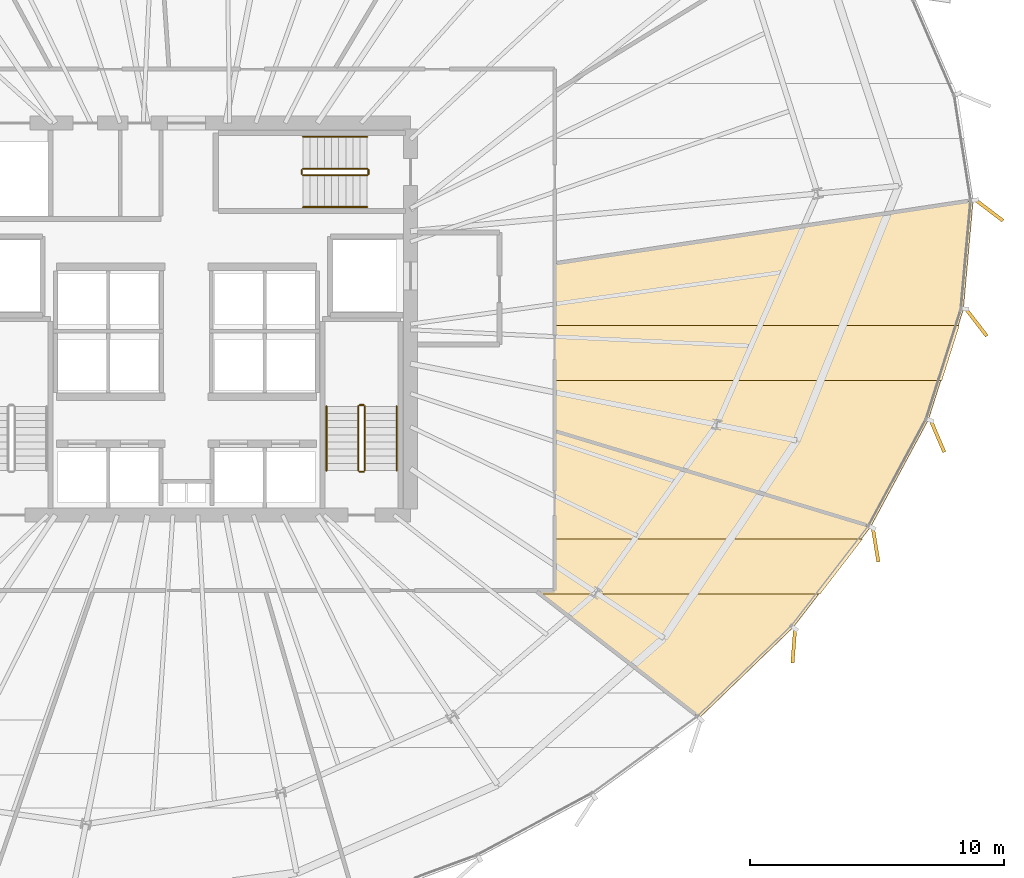
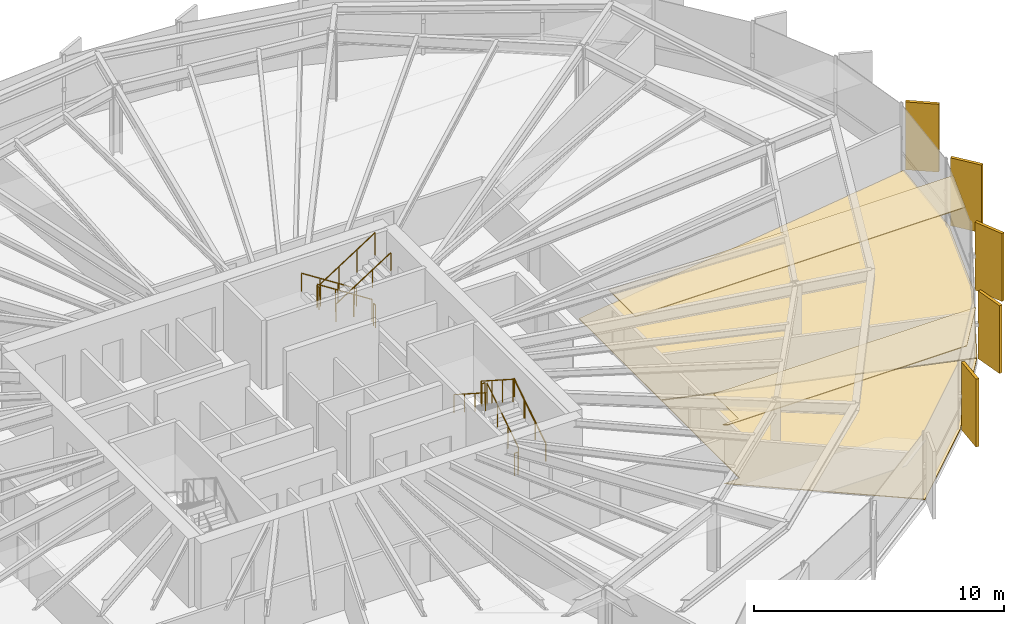
# One storey, part 34 of 35: 12 railings, 9 coverings.
"""IFC4 building model written with IfcOpenShell, lengths in metres."""

from ifc_helpers import new_model, si_unit, direction, frame, origin, origin_2d, place, context, subcontext, project, spatial, polyline, rectangle, circle, outline, extrude, source, transform, mapped, material, layer, layer_set, type_object, element, save


model = new_model("IFC4")

# Units and contexts
model_context = context("Model", 3, precision=1e-05, world=origin(), true_north=direction((0.0, 1.0)))
body_context = subcontext(model_context, "Body", "Model", "MODEL_VIEW")
ifc_project = project(units=[si_unit("LENGTHUNIT", "METRE"), si_unit("AREAUNIT", "SQUARE_METRE"), si_unit("VOLUMEUNIT", "CUBIC_METRE"), si_unit("PLANEANGLEUNIT", "RADIAN"), si_unit("MASSUNIT", "GRAM", prefix="KILO"), si_unit("THERMODYNAMICTEMPERATUREUNIT", "KELVIN")], contexts=[model_context])

# Site, building, storey
site_placement = place(None, origin())
site = spatial("IfcSite", under=ifc_project, at=site_placement, CompositionType="ELEMENT")
building_placement = place(site_placement, origin())
building = spatial("IfcBuilding", under=site, at=building_placement, Name="Kethvar Cultural Tower", CompositionType="ELEMENT")
storey_placement = place(building_placement, frame((0.0, 0.0, 100.0)))
storey = spatial("IfcBuildingStorey", under=building, at=storey_placement, Name="L24", CompositionType="ELEMENT", Elevation=100.0)

# Coverings
ifc_material_1 = material(Name="Acoustic Mineral Fibre Ceiling")
ifc_layer_1 = layer(ifc_material_1, 0.0400390625, Name="Acoustic Mineral Fibre Ceiling")
ifc_layer_set_1 = layer_set([ifc_layer_1], Name="Acoustic Mineral Fibre Ceiling (40 mm)")
covering_type_1 = type_object("IfcCoveringType", Name="CV-ACOUSTIC-CEIL", PredefinedType="CEILING", material=ifc_layer_set_1)
covering_1_placement = place(storey_placement, frame((0.0, 0.0, 2.889892578125)))
element("IfcCovering", 1, at=covering_1_placement, inside=storey, type_object=covering_type_1, Name="L24 Room 04 Acoustic Ceiling Panel", PredefinedType="CEILING", context=body_context, shape_type="SweptSolid", body=[
    extrude(outline(polyline([(60.498046875, 17.124267578125), (61.25, 17.159912109375), (61.25, 19.149658203125), (73.356201171875, 19.149658203125), (71.697998046875, 16.99951171875), (60.658203125, 16.99951171875), (60.498046875, 17.124267578125)])), origin(), (0.0, 0.0, 1.0), 0.0400390625),
])
covering_2_placement = place(storey_placement, frame((0.0, 0.0, 2.889892578125)))
element("IfcCovering", 2, at=covering_2_placement, inside=storey, type_object=covering_type_1, Name="L24 Room 05 Acoustic Ceiling Panel", PredefinedType="CEILING", context=body_context, shape_type="SweptSolid", body=[
    extrude(outline(polyline([(76.48291015625, 25.388427734375), (61.25, 25.388427734375), (61.25, 27.538330078125), (77.164794921875, 27.538330078125), (76.48291015625, 25.388427734375)])), origin(), (0.0, 0.0, 1.0), 0.0400390625),
])
ifc_material_2 = material(Name="Honed Warm Limestone", Category="masonry")
ifc_layer_2 = layer(ifc_material_2, 0.030029296875, Name="Honed Warm Limestone", Category="masonry")
ifc_layer_set_2 = layer_set([ifc_layer_2], Name="Honed Warm Limestone (30 mm)")
covering_type_2 = type_object("IfcCoveringType", Name="CV-STONE-FLOOR", PredefinedType="FLOORING", material=ifc_layer_set_2)
covering_3_placement = place(storey_placement, origin())
element("IfcCovering", 3, at=covering_3_placement, inside=storey, type_object=covering_type_2, Name="L24 Room 04 Floor Finish", PredefinedType="FLOORING", context=body_context, shape_type="SweptSolid", body=[
    extrude(outline(polyline([(70.637451171875, 15.68994140625), (66.966064453125, 12.145751953125), (60.568603515625, 17.1201171875), (61.289794921875, 17.137939453125), (61.2900390625, 23.376953125), (73.666259765625, 19.616943359375), (70.637451171875, 15.68994140625)])), origin(), (0.0, 0.0, 1.0), 0.030029296875),
])
covering_4_placement = place(storey_placement, origin())
element("IfcCovering", 4, at=covering_4_placement, inside=storey, type_object=covering_type_2, Name="L24 Room 05 Floor Finish", PredefinedType="FLOORING", context=body_context, shape_type="SweptSolid", body=[
    extrude(outline(polyline([(77.323486328125, 28.1708984375), (75.951904296875, 23.8466796875), (73.68994140625, 19.651611328125), (61.2900390625, 23.418701171875), (61.2900390625, 29.966064453125), (77.70654296875, 32.443115234375), (77.323486328125, 28.1708984375)])), origin(), (0.0, 0.0, 1.0), 0.030029296875),
])

# Railings
ifc_material_3 = material(Name="Steel S355J2", Category="steel")
railing_type_1 = type_object("IfcRailingType", Name="RL-STAIR-GUARD", PredefinedType="BALUSTRADE", material=ifc_material_3)
railing_1_placement = place(storey_placement, frame((53.81005859375, 21.85009765625, 0.179931640625)))
element("IfcRailing", 5, at=railing_1_placement, inside=storey, type_object=railing_type_1, Name="L24 ST-02 stair guard 1", PredefinedType="BALUSTRADE", context=body_context, shape_type="SweptSolid", body=[
    extrude(circle(Radius=0.02392578125, at=origin_2d()), frame((0.0, 0.0, 1.09619140625), z_axis=(0.0, 0.841162588446, 0.540782303519), x_axis=(-1.0, 0.0, 0.0)), (0.0, 0.0, 1.0), 2.995849609375),
    extrude(circle(Radius=0.02099609375, at=origin_2d()), origin(), (0.0, 0.0, 1.0), 1.072021484375),
    extrude(circle(Radius=0.02099609375, at=origin_2d()), frame((0.0, 0.840087890625, 0.5400390625)), (0.0, 0.0, 1.0), 1.072021484375),
    extrude(circle(Radius=0.02099609375, at=origin_2d()), frame((0.0, 1.679931640625, 1.080078125)), (0.0, 0.0, 1.0), 1.072021484375),
    extrude(circle(Radius=0.02099609375, at=origin_2d()), frame((0.0, 2.52001953125, 1.6201171875)), (0.0, 0.0, 1.0), 1.072021484375),
])
railing_2_placement = place(storey_placement, frame((53.760009765625, 24.419921875, 1.800048828125)))
element("IfcRailing", 6, at=railing_2_placement, inside=storey, type_object=railing_type_1, Name="L24 ST-02 stair guard 2", PredefinedType="BALUSTRADE", context=body_context, shape_type="SweptSolid", body=[
    extrude(circle(Radius=0.02392578125, at=origin_2d()), frame((0.0, 0.0, 1.09619140625), z_axis=(-1.0, 0.0, 0.0), x_axis=(0.0, -1.0, 0.0)), (0.0, 0.0, 1.0), 0.159912109375),
    extrude(circle(Radius=0.02099609375, at=origin_2d()), origin(), (0.0, 0.0, 1.0), 1.072021484375),
    extrude(circle(Radius=0.02099609375, at=origin_2d()), frame((-0.159912109375, 0.0, 0.0)), (0.0, 0.0, 1.0), 1.072021484375),
])
railing_3_placement = place(storey_placement, frame((53.550048828125, 24.3701171875, 1.97998046875)))
element("IfcRailing", 7, at=railing_3_placement, inside=storey, type_object=railing_type_1, Name="L24 ST-02 stair guard 3", PredefinedType="BALUSTRADE", context=body_context, shape_type="SweptSolid", body=[
    extrude(circle(Radius=0.02392578125, at=origin_2d()), frame((0.0, 0.0, 1.09619140625), z_axis=(0.0, -0.841162588446, 0.540782303519), x_axis=(1.0, 0.0, 0.0)), (0.0, 0.0, 1.0), 2.995849609375),
    extrude(circle(Radius=0.02099609375, at=origin_2d()), origin(), (0.0, 0.0, 1.0), 1.072021484375),
    extrude(circle(Radius=0.02099609375, at=origin_2d()), frame((0.0, -0.840087890625, 0.5400390625)), (0.0, 0.0, 1.0), 1.072021484375),
    extrude(circle(Radius=0.02099609375, at=origin_2d()), frame((0.0, -1.679931640625, 1.080078125)), (0.0, 0.0, 1.0), 1.072021484375),
    extrude(circle(Radius=0.02099609375, at=origin_2d()), frame((0.0, -2.52001953125, 1.6201171875)), (0.0, 0.0, 1.0), 1.072021484375),
])
railing_4_placement = place(storey_placement, frame((53.760009765625, 21.800048828125, 0.0)))
element("IfcRailing", 8, at=railing_4_placement, inside=storey, type_object=railing_type_1, Name="L24 ST-02 stair guard 4", PredefinedType="BALUSTRADE", context=body_context, shape_type="SweptSolid", body=[
    extrude(circle(Radius=0.02392578125, at=origin_2d()), frame((0.0, 0.0, 1.09619140625), z_axis=(-1.0, 0.0, 0.0), x_axis=(0.0, -1.0, 0.0)), (0.0, 0.0, 1.0), 0.159912109375),
    extrude(circle(Radius=0.02099609375, at=origin_2d()), origin(), (0.0, 0.0, 1.0), 1.072021484375),
    extrude(circle(Radius=0.02099609375, at=origin_2d()), frame((-0.159912109375, 0.0, 0.0)), (0.0, 0.0, 1.0), 1.072021484375),
])
railing_5_placement = place(storey_placement, frame((53.89990234375, 33.7099609375, 0.179931640625)))
element("IfcRailing", 9, at=railing_5_placement, inside=storey, type_object=railing_type_1, Name="L24 ST-03 stair guard 1", PredefinedType="BALUSTRADE", context=body_context, shape_type="SweptSolid", body=[
    extrude(circle(Radius=0.02392578125, at=origin_2d()), frame((0.0, 0.0, 1.09619140625), z_axis=(-0.841162588446, 0.0, 0.540782303519), x_axis=(0.0, -1.0, 0.0)), (0.0, 0.0, 1.0), 2.995849609375),
    extrude(circle(Radius=0.02099609375, at=origin_2d()), origin(), (0.0, 0.0, 1.0), 1.072021484375),
    extrude(circle(Radius=0.02099609375, at=origin_2d()), frame((-0.840087890625, 0.0, 0.5400390625)), (0.0, 0.0, 1.0), 1.072021484375),
    extrude(circle(Radius=0.02099609375, at=origin_2d()), frame((-1.679931640625, 0.0, 1.080078125)), (0.0, 0.0, 1.0), 1.072021484375),
    extrude(circle(Radius=0.02099609375, at=origin_2d()), frame((-2.52001953125, 0.0, 1.6201171875)), (0.0, 0.0, 1.0), 1.072021484375),
])
railing_6_placement = place(storey_placement, frame((51.330078125, 33.659912109375, 1.800048828125)))
element("IfcRailing", 10, at=railing_6_placement, inside=storey, type_object=railing_type_1, Name="L24 ST-03 stair guard 2", PredefinedType="BALUSTRADE", context=body_context, shape_type="SweptSolid", body=[
    extrude(circle(Radius=0.02392578125, at=origin_2d()), frame((0.0, 0.0, 1.09619140625), z_axis=(0.0, -1.0, 0.0), x_axis=(1.0, 0.0, 0.0)), (0.0, 0.0, 1.0), 0.159912109375),
    extrude(circle(Radius=0.02099609375, at=origin_2d()), origin(), (0.0, 0.0, 1.0), 1.072021484375),
    extrude(circle(Radius=0.02099609375, at=origin_2d()), frame((0.0, -0.159912109375, 0.0)), (0.0, 0.0, 1.0), 1.072021484375),
])
railing_7_placement = place(storey_placement, frame((51.3798828125, 33.449951171875, 1.97998046875)))
element("IfcRailing", 11, at=railing_7_placement, inside=storey, type_object=railing_type_1, Name="L24 ST-03 stair guard 3", PredefinedType="BALUSTRADE", context=body_context, shape_type="SweptSolid", body=[
    extrude(circle(Radius=0.02392578125, at=origin_2d()), frame((0.0, 0.0, 1.09619140625), z_axis=(0.841162588446, 0.0, 0.540782303519), x_axis=(0.0, 1.0, 0.0)), (0.0, 0.0, 1.0), 2.995849609375),
    extrude(circle(Radius=0.02099609375, at=origin_2d()), origin(), (0.0, 0.0, 1.0), 1.072021484375),
    extrude(circle(Radius=0.02099609375, at=origin_2d()), frame((0.840087890625, 0.0, 0.5400390625)), (0.0, 0.0, 1.0), 1.072021484375),
    extrude(circle(Radius=0.02099609375, at=origin_2d()), frame((1.679931640625, 0.0, 1.080078125)), (0.0, 0.0, 1.0), 1.072021484375),
    extrude(circle(Radius=0.02099609375, at=origin_2d()), frame((2.52001953125, 0.0, 1.6201171875)), (0.0, 0.0, 1.0), 1.072021484375),
])
railing_8_placement = place(storey_placement, frame((53.949951171875, 33.659912109375, 0.0)))
element("IfcRailing", 12, at=railing_8_placement, inside=storey, type_object=railing_type_1, Name="L24 ST-03 stair guard 4", PredefinedType="BALUSTRADE", context=body_context, shape_type="SweptSolid", body=[
    extrude(circle(Radius=0.02392578125, at=origin_2d()), frame((0.0, 0.0, 1.09619140625), z_axis=(0.0, -1.0, 0.0), x_axis=(1.0, 0.0, 0.0)), (0.0, 0.0, 1.0), 0.159912109375),
    extrude(circle(Radius=0.02099609375, at=origin_2d()), origin(), (0.0, 0.0, 1.0), 1.072021484375),
    extrude(circle(Radius=0.02099609375, at=origin_2d()), frame((0.0, -0.159912109375, 0.0)), (0.0, 0.0, 1.0), 1.072021484375),
])
railing_type_2 = type_object("IfcRailingType", Name="RL-STAIR-HANDRAIL", PredefinedType="HANDRAIL", material=ifc_material_3)
railing_9_placement = place(storey_placement, frame((55.06005859375, 21.85009765625, 0.179931640625)))
element("IfcRailing", 13, at=railing_9_placement, inside=storey, type_object=railing_type_2, Name="L24 ST-02 stair handrail 1", PredefinedType="HANDRAIL", context=body_context, shape_type="SweptSolid", body=[
    extrude(circle(Radius=0.02392578125, at=origin_2d()), frame((0.0, 0.0, 0.8759765625), z_axis=(0.0, 0.841162588446, 0.540782303519), x_axis=(-1.0, 0.0, 0.0)), (0.0, 0.0, 1.0), 2.995849609375),
    extrude(circle(Radius=0.02099609375, at=origin_2d()), origin(), (0.0, 0.0, 1.0), 0.851806640625),
    extrude(circle(Radius=0.02099609375, at=origin_2d()), frame((0.0, 0.840087890625, 0.5400390625)), (0.0, 0.0, 1.0), 0.851806640625),
    extrude(circle(Radius=0.02099609375, at=origin_2d()), frame((0.0, 1.679931640625, 1.080078125)), (0.0, 0.0, 1.0), 0.851806640625),
    extrude(circle(Radius=0.02099609375, at=origin_2d()), frame((0.0, 2.52001953125, 1.6201171875)), (0.0, 0.0, 1.0), 0.851806640625),
])
railing_10_placement = place(storey_placement, frame((52.300048828125, 24.3701171875, 1.97998046875)))
element("IfcRailing", 14, at=railing_10_placement, inside=storey, type_object=railing_type_2, Name="L24 ST-02 stair handrail 2", PredefinedType="HANDRAIL", context=body_context, shape_type="SweptSolid", body=[
    extrude(circle(Radius=0.02392578125, at=origin_2d()), frame((0.0, 0.0, 0.8759765625), z_axis=(0.0, -0.841162588446, 0.540782303519), x_axis=(1.0, 0.0, 0.0)), (0.0, 0.0, 1.0), 2.995849609375),
    extrude(circle(Radius=0.02099609375, at=origin_2d()), origin(), (0.0, 0.0, 1.0), 0.851806640625),
    extrude(circle(Radius=0.02099609375, at=origin_2d()), frame((0.0, -0.840087890625, 0.5400390625)), (0.0, 0.0, 1.0), 0.851806640625),
    extrude(circle(Radius=0.02099609375, at=origin_2d()), frame((0.0, -1.679931640625, 1.080078125)), (0.0, 0.0, 1.0), 0.851806640625),
    extrude(circle(Radius=0.02099609375, at=origin_2d()), frame((0.0, -2.52001953125, 1.6201171875)), (0.0, 0.0, 1.0), 0.851806640625),
])
railing_11_placement = place(storey_placement, frame((53.89990234375, 34.9599609375, 0.179931640625)))
element("IfcRailing", 15, at=railing_11_placement, inside=storey, type_object=railing_type_2, Name="L24 ST-03 stair handrail 1", PredefinedType="HANDRAIL", context=body_context, shape_type="SweptSolid", body=[
    extrude(circle(Radius=0.02392578125, at=origin_2d()), frame((0.0, 0.0, 0.8759765625), z_axis=(-0.841162588446, 0.0, 0.540782303519), x_axis=(0.0, -1.0, 0.0)), (0.0, 0.0, 1.0), 2.995849609375),
    extrude(circle(Radius=0.02099609375, at=origin_2d()), origin(), (0.0, 0.0, 1.0), 0.851806640625),
    extrude(circle(Radius=0.02099609375, at=origin_2d()), frame((-0.840087890625, 0.0, 0.5400390625)), (0.0, 0.0, 1.0), 0.851806640625),
    extrude(circle(Radius=0.02099609375, at=origin_2d()), frame((-1.679931640625, 0.0, 1.080078125)), (0.0, 0.0, 1.0), 0.851806640625),
    extrude(circle(Radius=0.02099609375, at=origin_2d()), frame((-2.52001953125, 0.0, 1.6201171875)), (0.0, 0.0, 1.0), 0.851806640625),
])
railing_12_placement = place(storey_placement, frame((51.3798828125, 32.199951171875, 1.97998046875)))
element("IfcRailing", 16, at=railing_12_placement, inside=storey, type_object=railing_type_2, Name="L24 ST-03 stair handrail 2", PredefinedType="HANDRAIL", context=body_context, shape_type="SweptSolid", body=[
    extrude(circle(Radius=0.02392578125, at=origin_2d()), frame((0.0, 0.0, 0.8759765625), z_axis=(0.841162588446, 0.0, 0.540782303519), x_axis=(0.0, 1.0, 0.0)), (0.0, 0.0, 1.0), 2.995849609375),
    extrude(circle(Radius=0.02099609375, at=origin_2d()), origin(), (0.0, 0.0, 1.0), 0.851806640625),
    extrude(circle(Radius=0.02099609375, at=origin_2d()), frame((0.840087890625, 0.0, 0.5400390625)), (0.0, 0.0, 1.0), 0.851806640625),
    extrude(circle(Radius=0.02099609375, at=origin_2d()), frame((1.679931640625, 0.0, 1.080078125)), (0.0, 0.0, 1.0), 0.851806640625),
    extrude(circle(Radius=0.02099609375, at=origin_2d()), frame((2.52001953125, 0.0, 1.6201171875)), (0.0, 0.0, 1.0), 0.851806640625),
])

# Coverings
ifc_material_4 = material(Name="Extruded Architectural Terracotta", Category="masonry")
ifc_layer_3 = layer(ifc_material_4, 0.135009765625, Name="Extruded Architectural Terracotta", Category="masonry")
ifc_layer_set_3 = layer_set([ifc_layer_3], Name="Extruded Architectural Terracotta (135 mm)")
covering_type_3 = type_object("IfcCoveringType", Name="Terracotta Facade Fin FIN-02", PredefinedType="CLADDING", material=ifc_layer_set_3)
shared_shape = source(origin(), body_context, "Body", "SweptSolid", [
    extrude(rectangle(XDim=1.35009765625, YDim=0.135009765625, at=origin_2d()), origin(), (0.0, 0.0, 1.0), 3.31005859375),
])
for number, where, z_axis, x_axis, name in (
    (17, (70.663818359375, 14.95458984375, 0.02001953125), (0.0, 0.0, 1.0), (-0.076545008426, -0.997066127037, 0.0), "L24 Vertical Terracotta Fin 6.4"),
    (18, (73.87890625, 18.923583984375, 0.02001953125), (0.0, 0.0, 1.0), (0.160914826518, -0.986968296657, 0.0), "L24 Vertical Terracotta Fin 6.5"),
    (19, (76.3115234375, 23.19384765625, 0.02001953125), (0.0, 0.0, 1.0), (0.392337116604, -0.919821497322, 0.0), "L24 Vertical Terracotta Fin 6.6"),
    (20, (77.83837890625, 27.663818359375, 0.02001953125), (0.0, 0.0, 1.0), (0.610559922132, -0.791970063504, 0.0), "L24 Vertical Terracotta Fin 7.1"),
    (21, (78.34521484375, 32.070556640625, 0.02001953125), (0.0, 0.0, 1.0), (0.796107634141, -0.605155050266, 0.0), "L24 Vertical Terracotta Fin 7.2"),
):
    element("IfcCovering", number, at=place(storey_placement, frame(where, z_axis=z_axis, x_axis=x_axis)), inside=storey, type_object=covering_type_3, Name=name, PredefinedType="CLADDING", context=body_context, shape_type="MappedRepresentation", body=[
        mapped(shared_shape, transform((0.0, 0.0, 0.0), scale=1.0)),
    ])

save(model, "model.ifc")
